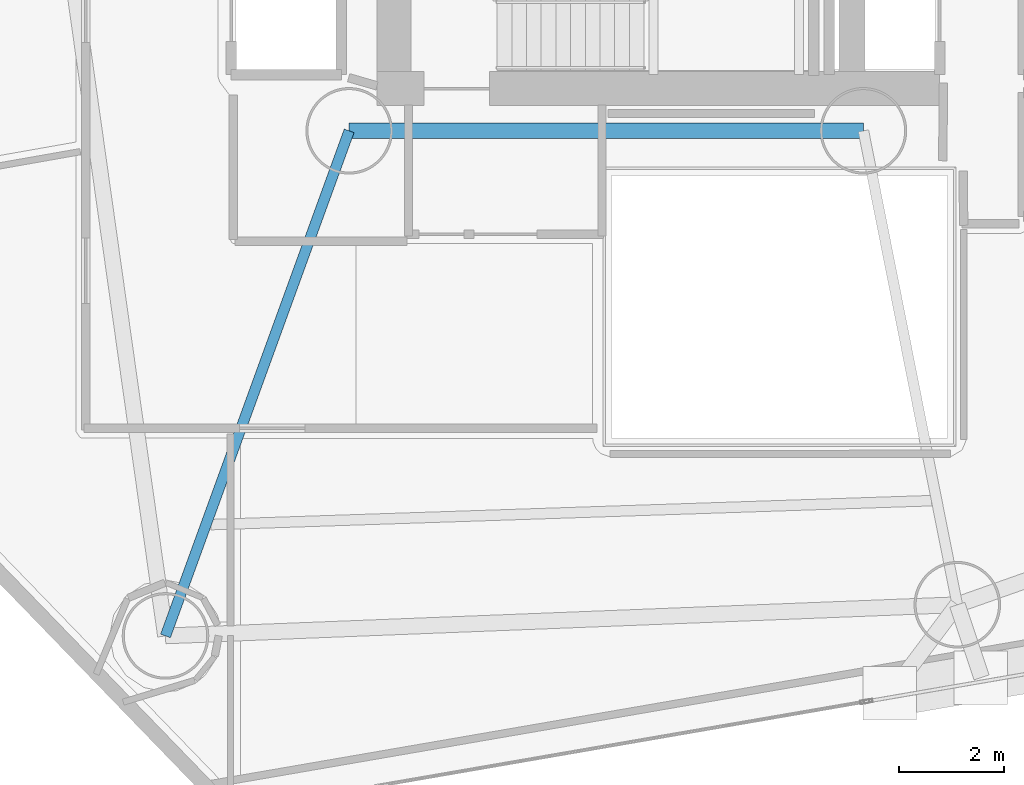
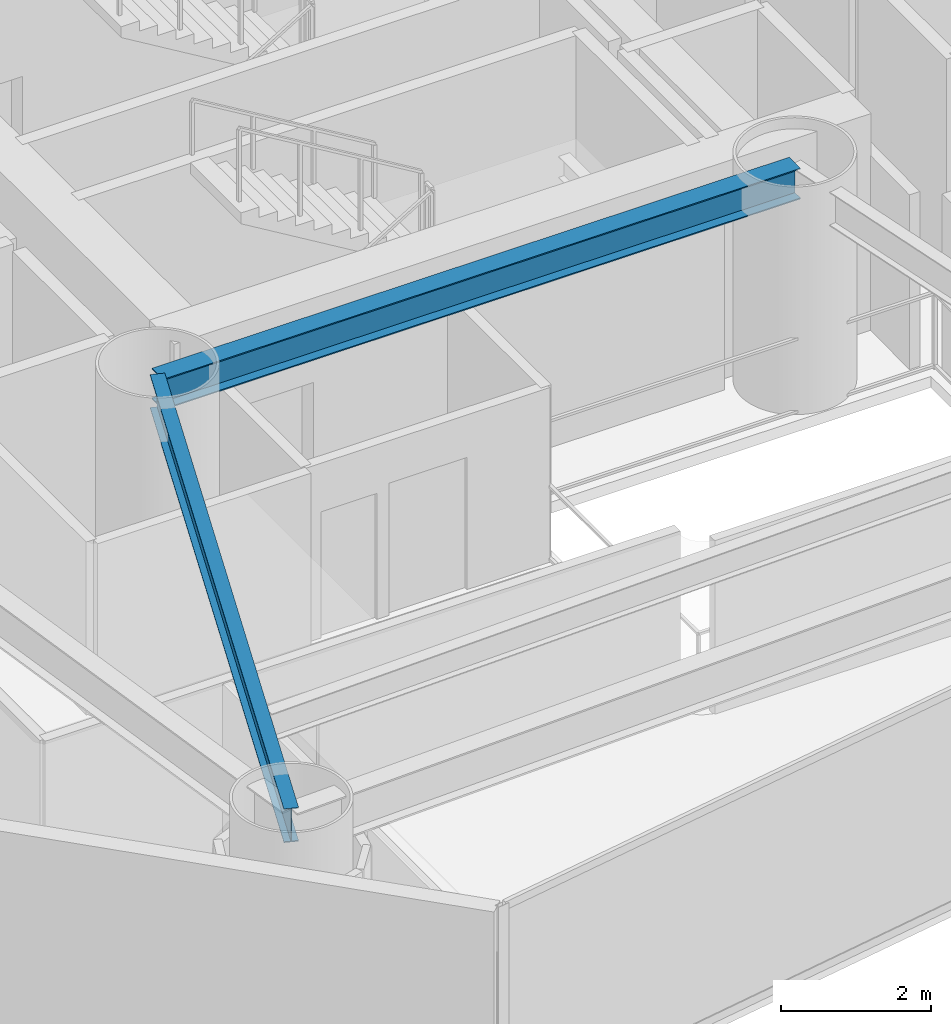
# One storey, part 4 of 23: 2 beams.
"""IFC4 building model written with IfcOpenShell, lengths in metres."""

from ifc_helpers import new_model, si_unit, direction, frame, origin, origin_2d, place, context, subcontext, project, spatial, i_section, extrude, material, material_profile, profile_set, type_object, element, save


model = new_model("IFC4")

# Units and contexts
model_context = context("Model", 3, precision=1e-05, world=origin(), true_north=direction((0.0, 1.0)))
body_context = subcontext(model_context, "Body", "Model", "MODEL_VIEW")
ifc_project = project(units=[si_unit("LENGTHUNIT", "METRE"), si_unit("AREAUNIT", "SQUARE_METRE"), si_unit("VOLUMEUNIT", "CUBIC_METRE"), si_unit("PLANEANGLEUNIT", "RADIAN"), si_unit("MASSUNIT", "GRAM", prefix="KILO")], contexts=[model_context])

# Site, building, storey
site_placement = place(None, origin())
site = spatial("IfcSite", under=ifc_project, at=site_placement, CompositionType="ELEMENT")
building_placement = place(site_placement, origin())
building = spatial("IfcBuilding", under=site, at=building_placement, Name="Qianvela Tower", CompositionType="ELEMENT")
storey_placement = place(building_placement, frame((0.0, 0.0, 82.10009765625)))
storey = spatial("IfcBuildingStorey", under=building, at=storey_placement, Name="L20", CompositionType="ELEMENT", Elevation=82.10009765625)

# Beams
ifc_material_1 = material(Name="Steel Q355B", Category="steel")
ifc_material_profile_1 = material_profile(ifc_material_1, i_section(OverallWidth=0.300048828125, OverallDepth=0.5, WebThickness=0.010986328125, FlangeThickness=0.01806640625, at=origin_2d()), Name="HM500x300x11x18")
ifc_profile_set_1 = profile_set([ifc_material_profile_1], Name="Steel Q355B")
beam_type_1 = type_object("IfcBeamType", Name="BM-HM500-COLL", PredefinedType="BEAM", material=ifc_profile_set_1)
beam_1_placement = place(storey_placement, frame((28.60009765625, 23.85009765625, 3.267822265625), z_axis=(1.0, 0.0, 0.0), x_axis=(0.0, 1.0, 0.0)))
element("IfcBeam", 1, at=beam_1_placement, inside=storey, type_object=beam_type_1, Name="L20 Core Ring Collector Girder CC1", PredefinedType="BEAM", context=body_context, shape_type="SweptSolid", body=[
    extrude(i_section(OverallWidth=0.300048828125, OverallDepth=0.5, WebThickness=0.010986328125, FlangeThickness=0.01806640625, at=origin_2d()), origin(), (0.0, 0.0, 1.0), 9.7998046875),
])
ifc_material_2 = material(Name="Steel Q355B", Category="steel")
ifc_material_profile_2 = material_profile(ifc_material_2, i_section(OverallWidth=0.199951171875, OverallDepth=0.550048828125, WebThickness=0.010009765625, FlangeThickness=0.01611328125, at=origin_2d()), Name="HN550x200x10x16")
ifc_profile_set_2 = profile_set([ifc_material_profile_2], Name="Steel Q355B")
beam_type_2 = type_object("IfcBeamType", Name="BM-HN550-GIRD", PredefinedType="BEAM", material=ifc_profile_set_2)
beam_2_placement = place(storey_placement, frame((28.60009765625, 23.85009765625, 3.242919921875), z_axis=(-0.341743063087, -0.939793423488, 0.0), x_axis=(0.939793423488, -0.341743063087, 0.0)))
element("IfcBeam", 2, at=beam_2_placement, inside=storey, type_object=beam_type_2, Name="L20 Radial Primary Floor Girder 5", PredefinedType="BEAM", context=body_context, shape_type="SweptSolid", body=[
    extrude(i_section(OverallWidth=0.199951171875, OverallDepth=0.550048828125, WebThickness=0.010009765625, FlangeThickness=0.01611328125, at=origin_2d()), origin(), (0.0, 0.0, 1.0), 10.24169921875),
])

save(model, "model.ifc")
